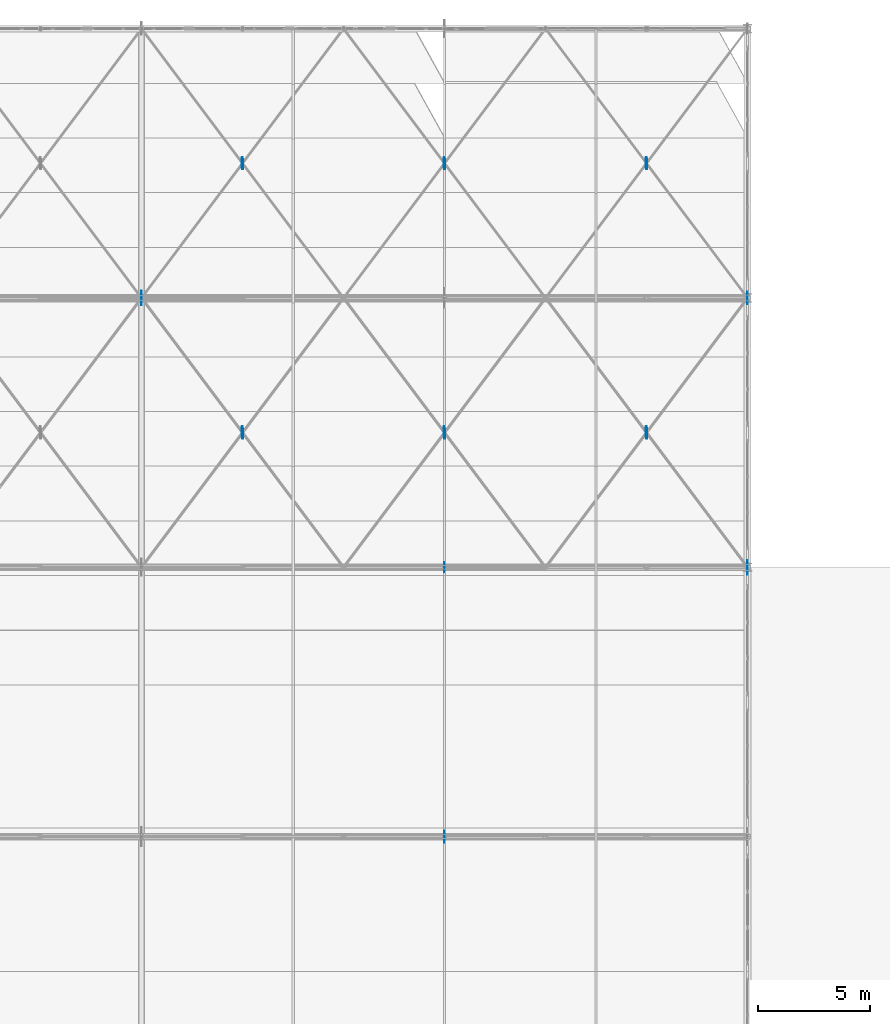
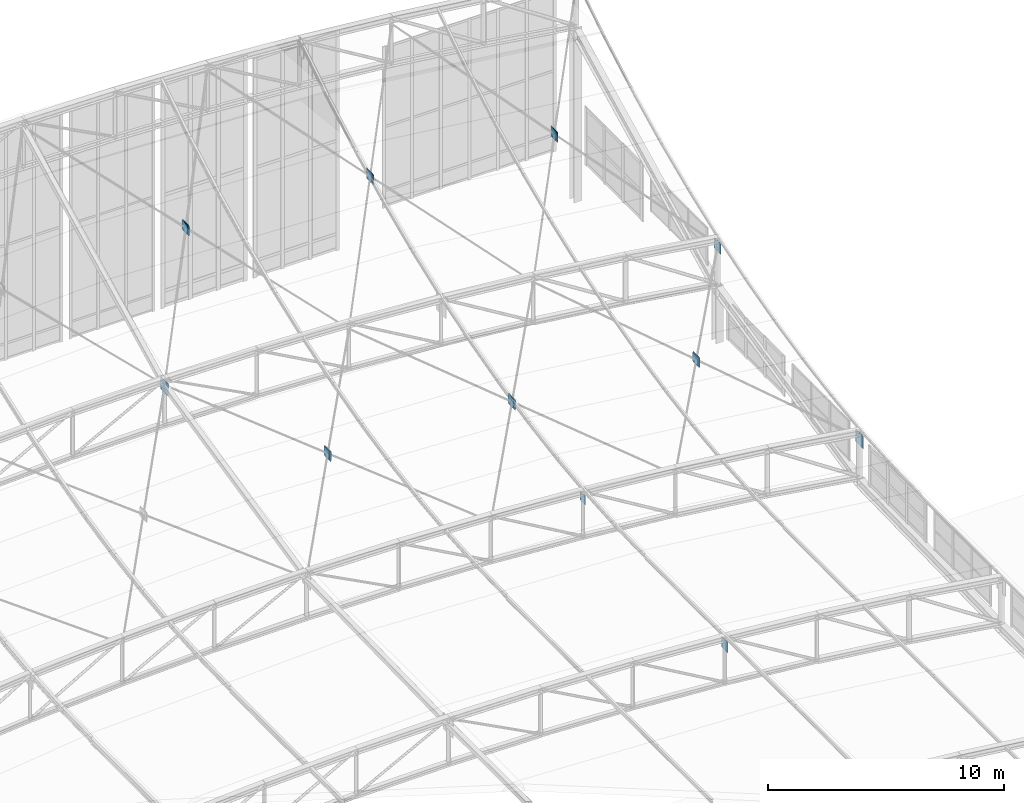
# One storey, part 248 of 262: 23 plates.
"""IFC4 building model written with IfcOpenShell, lengths in metres."""

from ifc_helpers import new_model, si_unit, derived_unit, direction, frame, origin, origin_2d, place, context, subcontext, project, spatial, rectangle, extrude, material, layer, layer_set, type_object, element, save


model = new_model("IFC4")

# Units and contexts
model_context = context("Model", 3, precision=1e-05, world=origin(), true_north=direction((0.0, 1.0)))
body_context = subcontext(model_context, "Body", "Model", "MODEL_VIEW")
ifc_project = project(units=[si_unit("LENGTHUNIT", "METRE"), si_unit("AREAUNIT", "SQUARE_METRE"), si_unit("VOLUMEUNIT", "CUBIC_METRE"), si_unit("PLANEANGLEUNIT", "RADIAN"), si_unit("MASSUNIT", "GRAM", prefix="KILO"), derived_unit("THERMALTRANSMITTANCEUNIT", [(si_unit("POWERUNIT", "WATT"), 1), (si_unit("LENGTHUNIT", "METRE"), -2), (si_unit("THERMODYNAMICTEMPERATUREUNIT", "KELVIN"), -1)])], contexts=[model_context])

# Site, building, storey
site_placement = place(None, origin())
site = spatial("IfcSite", under=ifc_project, at=site_placement, CompositionType="ELEMENT")
building_placement = place(site_placement, origin())
building = spatial("IfcBuilding", under=site, at=building_placement, Name="Almenara Railside Exhibition Hall", CompositionType="ELEMENT")
storey_placement = place(building_placement, frame((0.0, 0.0, 21.699951171875)))
storey = spatial("IfcBuildingStorey", under=building, at=storey_placement, Name="RF", CompositionType="ELEMENT", Elevation=21.699951171875)

# Plates
ifc_material = material(Name="Structural steel S355JR", Category="steel")
ifc_layer_1 = layer(ifc_material, 0.011962890625, Name="Structural steel S355JR")
ifc_layer_set_1 = layer_set([ifc_layer_1], Name="Structural steel S355JR")
plate_type_1 = type_object("IfcPlateType", Name="Truss Node Gusset Plate 12mm S355JR", PredefinedType="USERDEFINED", material=ifc_layer_set_1)
for number, where, z_axis, x_axis, name in (
    (1, (52.5, 108.0, 1.23974609375), (0.0, 0.0, 1.0), (0.0, 1.0, 0.0), "PLT-GUS-0029"),
    (2, (43.52978515625, 113.960205078125, 3.06591796875), (0.0, 0.0, 1.0), (0.0, 1.0, 0.0), "PLT-GUS-0087"),
    (3, (43.47021484375, 114.039794921875, 3.08544921875), (0.0, 0.0, 1.0), (0.0, 1.0, 0.0), "PLT-GUS-0088"),
    (4, (52.52978515625, 113.96044921875, 2.57568359375), (0.0, 0.0, 1.0), (0.0, 1.0, 0.0), "PLT-GUS-0090"),
    (5, (52.47021484375, 114.03955078125, 2.59814453125), (0.0, 0.0, 1.0), (0.0, 1.0, 0.0), "PLT-GUS-0091"),
    (6, (61.529541015625, 113.960693359375, 1.59619140625), (0.0, 0.0, 1.0), (0.0, 1.0, 0.0), "PLT-GUS-0093"),
    (7, (61.470458984375, 114.039306640625, 1.6220703125), (0.0, 0.0, 1.0), (0.0, 1.0, 0.0), "PLT-GUS-0094"),
    (8, (43.524658203125, 125.96728515625, 7.42626953125), (0.0, 0.0, 1.0), (0.0, 1.0, 0.0), "PLT-GUS-0105"),
    (9, (43.475341796875, 126.03271484375, 7.46044921875), (0.0, 0.0, 1.0), (0.0, 1.0, 0.0), "PLT-GUS-0106"),
    (10, (52.5244140625, 125.967529296875, 6.93603515625), (0.0, 0.0, 1.0), (0.0, 1.0, 0.0), "PLT-GUS-0108"),
    (11, (52.4755859375, 126.032470703125, 6.97265625), (0.0, 0.0, 1.0), (0.0, 1.0, 0.0), "PLT-GUS-0109"),
    (12, (61.52392578125, 125.968017578125, 5.95751953125), (0.0, 0.0, 1.0), (0.0, 1.0, 0.0), "PLT-GUS-0111"),
    (13, (61.47607421875, 126.031982421875, 5.99609375), (0.0, 0.0, 1.0), (0.0, 1.0, 0.0), "PLT-GUS-0112"),
):
    element("IfcPlate", number, at=place(storey_placement, frame(where, z_axis=z_axis, x_axis=x_axis)), inside=storey, type_object=plate_type_1, Name=name, ObjectType="GUSSET_PLATE", PredefinedType="USERDEFINED", context=body_context, shape_type="SweptSolid", body=[
        extrude(rectangle(XDim=0.449951171875, YDim=0.011962890625, at=origin_2d()), origin(), (0.0, 0.0, 1.0), 0.449951171875),
    ])
ifc_layer_2 = layer(ifc_material, 0.01611328125, Name="Structural steel S355JR")
ifc_layer_set_2 = layer_set([ifc_layer_2], Name="Structural steel S355JR")
plate_type_2 = type_object("IfcPlateType", Name="Truss Node Gusset Plate 16mm S355JR", PredefinedType="USERDEFINED", material=ifc_layer_set_2)
for number, where, z_axis, x_axis, name in (
    (14, (52.5, 96.0, 0.9248046875), (0.0, 0.0, 1.0), (0.0, 1.0, 0.0), "PLT-GUS-0024"),
    (15, (66.0, 120.0, 2.21630859375), (0.0, 0.0, 1.0), (0.0, 1.0, 0.0), "PLT-GUS-0035"),
    (16, (43.5, 114.0, 3.02587890625), (0.0, 0.0, 1.0), (0.0, 1.0, 0.0), "PLT-GUS-0086"),
    (17, (52.5, 114.0, 2.53662109375), (0.0, 0.0, 1.0), (0.0, 1.0, 0.0), "PLT-GUS-0089"),
    (18, (61.5, 114.0, 1.55908203125), (0.0, 0.0, 1.0), (0.0, 1.0, 0.0), "PLT-GUS-0092"),
    (19, (43.5, 126.0, 7.3935546875), (0.0, 0.0, 1.0), (0.0, 1.0, 0.0), "PLT-GUS-0104"),
    (20, (52.5, 126.0, 6.904296875), (0.0, 0.0, 1.0), (0.0, 1.0, 0.0), "PLT-GUS-0107"),
    (21, (61.5, 126.0, 5.9267578125), (0.0, 0.0, 1.0), (0.0, 1.0, 0.0), "PLT-GUS-0110"),
):
    element("IfcPlate", number, at=place(storey_placement, frame(where, z_axis=z_axis, x_axis=x_axis)), inside=storey, type_object=plate_type_2, Name=name, ObjectType="GUSSET_PLATE", PredefinedType="USERDEFINED", context=body_context, shape_type="SweptSolid", body=[
        extrude(rectangle(XDim=0.550048828125, YDim=0.01611328125, at=origin_2d()), origin(), (0.0, 0.0, 1.0), 0.550048828125),
    ])
ifc_layer_3 = layer(ifc_material, 0.02001953125, Name="Structural steel S355JR")
ifc_layer_set_3 = layer_set([ifc_layer_3], Name="Structural steel S355JR")
plate_type_3 = type_object("IfcPlateType", Name="Truss Node Gusset Plate 20mm S355JR", PredefinedType="USERDEFINED", material=ifc_layer_set_3)
for number, where, z_axis, x_axis, name in (
    (22, (66.0, 108.0, -0.51025390625), (0.0, 0.0, 1.0), (0.0, 1.0, 0.0), "PLT-GUS-0030"),
    (23, (39.0, 120.0, 4.3662109375), (0.0, 0.0, 1.0), (0.0, 1.0, 0.0), "PLT-GUS-0033"),
):
    element("IfcPlate", number, at=place(storey_placement, frame(where, z_axis=z_axis, x_axis=x_axis)), inside=storey, type_object=plate_type_3, Name=name, ObjectType="GUSSET_PLATE", PredefinedType="USERDEFINED", context=body_context, shape_type="SweptSolid", body=[
        extrude(rectangle(XDim=0.64990234375, YDim=0.02001953125, at=origin_2d()), origin(), (0.0, 0.0, 1.0), 0.64990234375),
    ])

save(model, "model.ifc")
